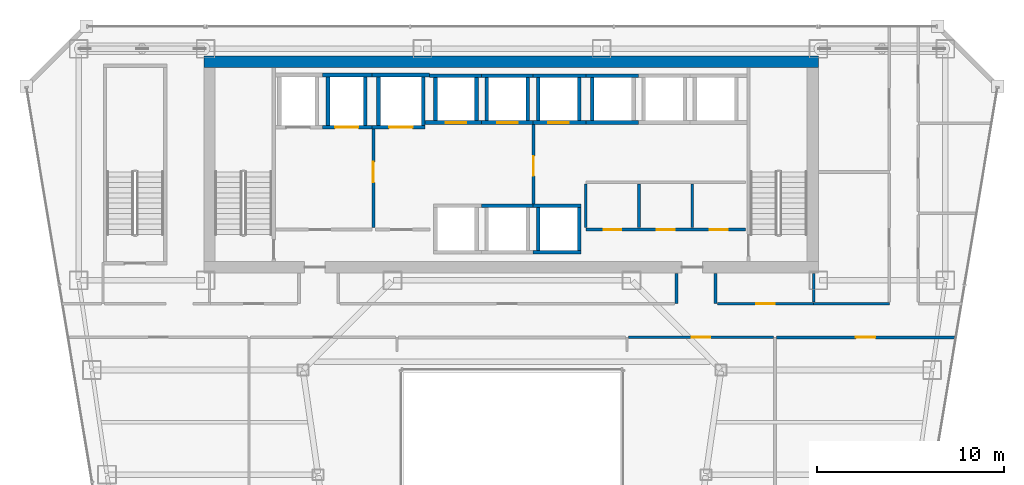
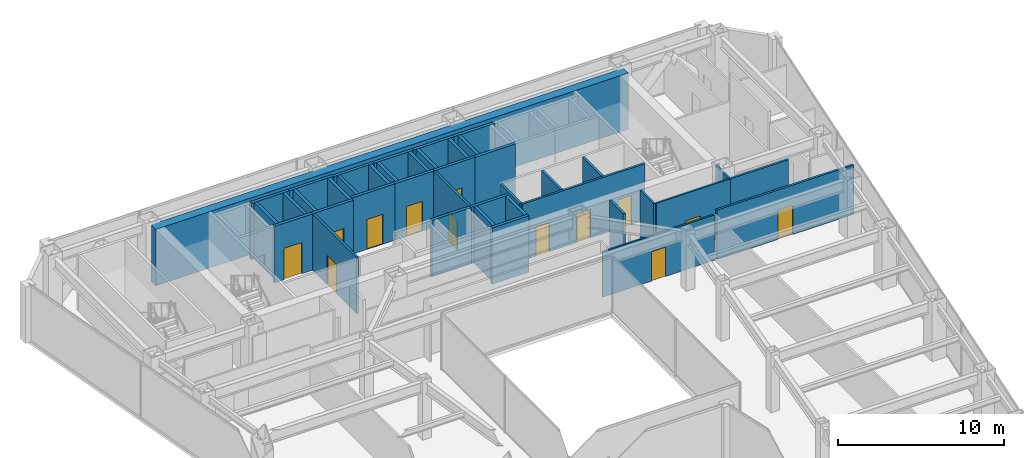
# One storey, part 33 of 37: 42 walls, 13 doors, 13 openings.
"""IFC4 building model written with IfcOpenShell, lengths in metres."""

from ifc_helpers import new_model, si_unit, direction, frame, frame_2d, origin, place, context, subcontext, project, spatial, rectangle, extrude, material, layer, layer_set, type_object, element, fill, save


model = new_model("IFC4")

# Units and contexts
model_context = context("Model", 3, precision=1e-05, world=origin(), true_north=direction((0.0, 1.0)))
body_context = subcontext(model_context, "Body", "Model", "MODEL_VIEW")
ifc_project = project(units=[si_unit("LENGTHUNIT", "METRE"), si_unit("AREAUNIT", "SQUARE_METRE"), si_unit("VOLUMEUNIT", "CUBIC_METRE"), si_unit("PLANEANGLEUNIT", "RADIAN"), si_unit("MASSUNIT", "GRAM", prefix="KILO")], contexts=[model_context])

# Site, building, storey
site_placement = place(None, origin())
site = spatial("IfcSite", under=ifc_project, at=site_placement, CompositionType="ELEMENT")
building_placement = place(site_placement, origin())
building = spatial("IfcBuilding", under=site, at=building_placement, Name="Saevonmaru Cultural Tower", CompositionType="ELEMENT")
storey_placement = place(building_placement, frame((0.0, 0.0, 110.39990234375)))
storey = spatial("IfcBuildingStorey", under=building, at=storey_placement, Name="L23", CompositionType="ELEMENT", Elevation=110.39990234375)

# Wall
ifc_material_1 = material(Name="Concrete C60/75", Category="concrete")
ifc_layer_1 = layer(ifc_material_1, 0.60009765625, Name="Concrete C60/75")
ifc_layer_set_1 = layer_set([ifc_layer_1], Name="Concrete C60/75")
wall_type_1 = type_object("IfcWallType", Name="WL-CORE-600", PredefinedType="SHEAR", material=ifc_layer_set_1)
wall_1_placement = place(storey_placement, frame((13.5, 54.10009765625, 0.0), z_axis=(0.0, 0.0, 1.0), x_axis=(1.0, 0.0, 0.0)))
element("IfcWall", 1, at=wall_1_placement, inside=storey, type_object=wall_type_1, Name="L23 Tower RC core shear wall N", PredefinedType="SHEAR", context=body_context, shape_type="SweptSolid", body=[
    extrude(rectangle(XDim=32.89990234375, YDim=0.60009765625, at=frame_2d((16.449951171875, 0.0))), origin(), (0.0, 0.0, 1.0), 4.150146484375),
])

# Wall, opening, door
ifc_material_2 = material(Name="Gypsum Fireboard Partition", Category="gypsum")
ifc_layer_2 = layer(ifc_material_2, 0.14990234375, Name="Gypsum Fireboard Partition")
ifc_layer_set_2 = layer_set([ifc_layer_2], Name="Gypsum Fireboard Partition")
wall_type_2 = type_object("IfcWallType", Name="WL-CORE-PART-150", PredefinedType="PARTITIONING", material=ifc_layer_set_2)
wall_2_placement = place(storey_placement, frame((22.580078125, 50.550048828125, 0.0), z_axis=(0.0, 0.0, 1.0), x_axis=(0.0, -1.0, 0.0)))
wall_2 = element("IfcWall", 2, at=wall_2_placement, inside=storey, type_object=wall_type_2, Name="L23 Firefighting Lift Lobby East Wall", PredefinedType="PARTITIONING", context=body_context, shape_type="SweptSolid", body=[
    extrude(rectangle(XDim=5.330078125, YDim=0.14990234375, at=frame_2d((2.6650390625, 0.0))), origin(), (0.0, 0.0, 1.0), 4.150146484375),
])
opening_1_placement = place(wall_2_placement, frame((1.800048828125, 0.0, 0.0)))
opening_1 = element("IfcOpeningElement", 3, at=opening_1_placement, cuts=wall_2, Name="Opening FD-2", PredefinedType="OPENING", context=body_context, shape_type="SweptSolid", body=[
    extrude(rectangle(XDim=1.10009765625, YDim=2.14990234375, at=frame_2d((0.550048828125, 1.074951171875))), frame((0.0, 0.0849609375, 0.0), z_axis=(0.0, -1.0, 0.0), x_axis=(1.0, 0.0, 0.0)), (0.0, 0.0, 1.0), 0.169921875),
])
ifc_material_3 = material(Name="Satin Bronze Anodised Aluminium", Category="aluminium")
door_type_1 = type_object("IfcDoorType", Name="DR-FD60-1100", OperationType="SINGLE_SWING_LEFT", PredefinedType="DOOR", material=ifc_material_3)
door_1_placement = place(opening_1_placement, origin())
door_1 = element("IfcDoor", 4, at=door_1_placement, inside=storey, type_object=door_type_1, Name="L23 Firefighting Lift Lobby East Door", OperationType="SINGLE_SWING_LEFT", OverallHeight=2.14990234375, OverallWidth=1.10009765625, PredefinedType="DOOR", context=body_context, shape_type="SweptSolid", body=[
    extrude(rectangle(XDim=1.10009765625, YDim=2.14990234375, at=frame_2d((0.550048828125, 1.074951171875))), frame((0.0, 0.02490234375, 0.0), z_axis=(0.0, -1.0, 0.0), x_axis=(1.0, 0.0, 0.0)), (0.0, 0.0, 1.0), 0.050048828125),
])
fill(opening_1, door_1)

wall_3_placement = place(storey_placement, frame((31.14990234375, 46.5, 0.0), z_axis=(0.0, 0.0, 1.0), x_axis=(0.0, 1.0, 0.0)))
wall_3 = element("IfcWall", 5, at=wall_3_placement, inside=storey, type_object=wall_type_2, Name="L23 Lift Zone Baffle 1", PredefinedType="PARTITIONING", context=body_context, shape_type="SweptSolid", body=[
    extrude(rectangle(XDim=4.25, YDim=0.14990234375, at=frame_2d((2.125, 0.0))), origin(), (0.0, 0.0, 1.0), 4.150146484375),
])
opening_2_placement = place(wall_3_placement, frame((1.5, 0.0, 0.0)))
opening_2 = element("IfcOpeningElement", 6, at=opening_2_placement, cuts=wall_3, Name="Opening ID-1", PredefinedType="OPENING", context=body_context, shape_type="SweptSolid", body=[
    extrude(rectangle(XDim=1.050048828125, YDim=2.14990234375, at=frame_2d((0.52490234375, 1.074951171875))), frame((0.0, 0.0849609375, 0.0), z_axis=(0.0, -1.0, 0.0), x_axis=(1.0, 0.0, 0.0)), (0.0, 0.0, 1.0), 0.169921875),
])
door_type_2 = type_object("IfcDoorType", Name="DR-INT-1050", OperationType="SINGLE_SWING_LEFT", PredefinedType="DOOR", material=ifc_material_3)
door_2_placement = place(opening_2_placement, origin())
door_2 = element("IfcDoor", 7, at=door_2_placement, inside=storey, type_object=door_type_2, Name="L23 West-Mid Lobby Portal", OperationType="SINGLE_SWING_LEFT", OverallHeight=2.14990234375, OverallWidth=1.050048828125, PredefinedType="DOOR", context=body_context, shape_type="SweptSolid", body=[
    extrude(rectangle(XDim=1.050048828125, YDim=2.14990234375, at=frame_2d((0.52490234375, 1.074951171875))), frame((0.0, 0.02490234375, 0.0), z_axis=(0.0, -1.0, 0.0), x_axis=(1.0, 0.0, 0.0)), (0.0, 0.0, 1.0), 0.050048828125),
])
fill(opening_2, door_2)

# Wall, openings, doors
wall_4_placement = place(storey_placement, frame((33.949951171875, 45.1201171875, 0.0), z_axis=(0.0, 0.0, 1.0), x_axis=(1.0, 0.0, 0.0)))
wall_4 = element("IfcWall", 8, at=wall_4_placement, inside=storey, type_object=wall_type_2, Name="L23 Core Utility South Wall", PredefinedType="PARTITIONING", context=body_context, shape_type="SweptSolid", body=[
    extrude(rectangle(XDim=8.550048828125, YDim=0.14990234375, at=frame_2d((4.27490234375, 0.0))), origin(), (0.0, 0.0, 1.0), 4.150146484375),
])
opening_3_placement = place(wall_4_placement, frame((0.949951171875, 0.0, 0.0)))
opening_3 = element("IfcOpeningElement", 9, at=opening_3_placement, cuts=wall_4, Name="Opening FD-4", PredefinedType="OPENING", context=body_context, shape_type="SweptSolid", body=[
    extrude(rectangle(XDim=0.949951171875, YDim=2.14990234375, at=frame_2d((0.47509765625, 1.074951171875))), frame((0.0, 0.0849609375, 0.0), z_axis=(0.0, -1.0, 0.0), x_axis=(1.0, 0.0, 0.0)), (0.0, 0.0, 1.0), 0.169921875),
])
opening_4_placement = place(wall_4_placement, frame((3.800048828125, 0.0, 0.0)))
opening_4 = element("IfcOpeningElement", 10, at=opening_4_placement, cuts=wall_4, Name="Opening FD-4", PredefinedType="OPENING", context=body_context, shape_type="SweptSolid", body=[
    extrude(rectangle(XDim=0.949951171875, YDim=2.14990234375, at=frame_2d((0.47509765625, 1.074951171875))), frame((0.0, 0.0849609375, 0.0), z_axis=(0.0, -1.0, 0.0), x_axis=(1.0, 0.0, 0.0)), (0.0, 0.0, 1.0), 0.169921875),
])
opening_5_placement = place(wall_4_placement, frame((6.64990234375, 0.0, 0.0)))
opening_5 = element("IfcOpeningElement", 11, at=opening_5_placement, cuts=wall_4, Name="Opening FD-4", PredefinedType="OPENING", context=body_context, shape_type="SweptSolid", body=[
    extrude(rectangle(XDim=0.949951171875, YDim=2.14990234375, at=frame_2d((0.47509765625, 1.074951171875))), frame((0.0, 0.0849609375, 0.0), z_axis=(0.0, -1.0, 0.0), x_axis=(1.0, 0.0, 0.0)), (0.0, 0.0, 1.0), 0.169921875),
])
door_type_3 = type_object("IfcDoorType", Name="DR-FD60-950", OperationType="SINGLE_SWING_LEFT", PredefinedType="DOOR", material=ifc_material_3)
door_3_placement = place(opening_3_placement, origin())
door_3 = element("IfcDoor", 12, at=door_3_placement, inside=storey, type_object=door_type_3, Name="L23 Meter Plant Door", OperationType="SINGLE_SWING_LEFT", OverallHeight=2.14990234375, OverallWidth=0.949951171875, PredefinedType="DOOR", context=body_context, shape_type="SweptSolid", body=[
    extrude(rectangle(XDim=0.949951171875, YDim=2.14990234375, at=frame_2d((0.47509765625, 1.074951171875))), frame((0.0, 0.02490234375, 0.0), z_axis=(0.0, -1.0, 0.0), x_axis=(1.0, 0.0, 0.0)), (0.0, 0.0, 1.0), 0.050048828125),
])
fill(opening_3, door_3)
door_4_placement = place(opening_4_placement, origin())
door_4 = element("IfcDoor", 13, at=door_4_placement, inside=storey, type_object=door_type_3, Name="L23 AV Rack Plant Door", OperationType="SINGLE_SWING_LEFT", OverallHeight=2.14990234375, OverallWidth=0.949951171875, PredefinedType="DOOR", context=body_context, shape_type="SweptSolid", body=[
    extrude(rectangle(XDim=0.949951171875, YDim=2.14990234375, at=frame_2d((0.47509765625, 1.074951171875))), frame((0.0, 0.02490234375, 0.0), z_axis=(0.0, -1.0, 0.0), x_axis=(1.0, 0.0, 0.0)), (0.0, 0.0, 1.0), 0.050048828125),
])
fill(opening_4, door_4)
door_5_placement = place(opening_5_placement, origin())
door_5 = element("IfcDoor", 14, at=door_5_placement, inside=storey, type_object=door_type_3, Name="L23 Archive Supply Storage Door", OperationType="SINGLE_SWING_LEFT", OverallHeight=2.14990234375, OverallWidth=0.949951171875, PredefinedType="DOOR", context=body_context, shape_type="SweptSolid", body=[
    extrude(rectangle(XDim=0.949951171875, YDim=2.14990234375, at=frame_2d((0.47509765625, 1.074951171875))), frame((0.0, 0.02490234375, 0.0), z_axis=(0.0, -1.0, 0.0), x_axis=(1.0, 0.0, 0.0)), (0.0, 0.0, 1.0), 0.050048828125),
])
fill(opening_5, door_5)

# Walls
for number, where, z_axis, x_axis, name in (
    (15, (33.949951171875, 45.219970703125, 0.0), (0.0, 0.0, 1.0), (0.0, 1.0, 0.0), "L23 Core Utility West Wall"),
    (16, (36.800048828125, 45.219970703125, 0.0), (0.0, 0.0, 1.0), (0.0, 1.0, 0.0), "L23 Utility Divider 1"),
    (17, (39.64990234375, 45.219970703125, 0.0), (0.0, 0.0, 1.0), (0.0, 1.0, 0.0), "L23 Utility Divider 2"),
):
    element("IfcWall", number, at=place(storey_placement, frame(where, z_axis=z_axis, x_axis=x_axis)), inside=storey, type_object=wall_type_2, Name=name, PredefinedType="PARTITIONING", context=body_context, shape_type="SweptSolid", body=[
        extrude(rectangle(XDim=2.330078125, YDim=0.14990234375, at=frame_2d((1.1650390625, 0.0))), origin(), (0.0, 0.0, 1.0), 4.150146484375),
    ])
ifc_layer_3 = layer(ifc_material_2, 0.14990234375, Name="Gypsum Fireboard Partition")
ifc_layer_set_3 = layer_set([ifc_layer_3], Name="Gypsum Fireboard Partition")
wall_type_3 = type_object("IfcWallType", Name="WL-PART-FIRE-150", PredefinedType="PARTITIONING", material=ifc_layer_set_3)
for number, where, z_axis, x_axis, name in (
    (18, (38.800048828125, 41.14990234375, 0.0), (0.0, 0.0, 1.0), (0.0, 1.0, 0.0), "L23 Core Portal Side Wall E1"),
    (19, (40.89990234375, 41.14990234375, 0.0), (0.0, 0.0, 1.0), (0.0, 1.0, 0.0), "L23 Core Portal Side Wall E2"),
):
    element("IfcWall", number, at=place(storey_placement, frame(where, z_axis=z_axis, x_axis=x_axis)), inside=storey, type_object=wall_type_3, Name=name, PredefinedType="PARTITIONING", context=body_context, shape_type="SweptSolid", body=[
        extrude(rectangle(XDim=1.630126953125, YDim=0.14990234375, at=frame_2d((0.81494140625, 0.0))), origin(), (0.0, 0.0, 1.0), 4.150146484375),
    ])

# Wall, opening, door
wall_5_placement = place(storey_placement, frame((44.16748046875, 39.35009765625, 0.0), z_axis=(0.0, 0.0, 1.0), x_axis=(1.0, 0.0, 0.0)))
wall_5 = element("IfcWall", 20, at=wall_5_placement, inside=storey, type_object=wall_type_3, Name="L23 Skyline Exhibition Gallery Corridor Wall", PredefinedType="PARTITIONING", context=body_context, shape_type="SweptSolid", body=[
    extrude(rectangle(XDim=9.527587890625, YDim=0.14990234375, at=frame_2d((4.763671875, 0.0))), origin(), (0.0, 0.0, 1.0), 3.635009765625),
])
opening_6_placement = place(wall_5_placement, frame((4.239013671875, 0.0, 0.0)))
opening_6 = element("IfcOpeningElement", 21, at=opening_6_placement, cuts=wall_5, Name="Opening ID-1", PredefinedType="OPENING", context=body_context, shape_type="SweptSolid", body=[
    extrude(rectangle(XDim=1.050048828125, YDim=2.14990234375, at=frame_2d((0.52490234375, 1.074951171875))), frame((0.0, 0.0849609375, 0.0), z_axis=(0.0, -1.0, 0.0), x_axis=(1.0, 0.0, 0.0)), (0.0, 0.0, 1.0), 0.169921875),
])
door_6_placement = place(opening_6_placement, origin())
door_6 = element("IfcDoor", 22, at=door_6_placement, inside=storey, type_object=door_type_2, Name="L23 Skyline Exhibition Gallery Door", OperationType="SINGLE_SWING_LEFT", OverallHeight=2.14990234375, OverallWidth=1.050048828125, PredefinedType="DOOR", context=body_context, shape_type="SweptSolid", body=[
    extrude(rectangle(XDim=1.050048828125, YDim=2.14990234375, at=frame_2d((0.52490234375, 1.074951171875))), frame((0.0, 0.02490234375, 0.0), z_axis=(0.0, -1.0, 0.0), x_axis=(1.0, 0.0, 0.0)), (0.0, 0.0, 1.0), 0.050048828125),
])
fill(opening_6, door_6)

ifc_layer_4 = layer(ifc_material_2, 0.1201171875, Name="Gypsum Fireboard Partition")
ifc_layer_set_4 = layer_set([ifc_layer_4], Name="Gypsum Fireboard Partition")
wall_type_4 = type_object("IfcWallType", Name="WL-PART-GYP-120", PredefinedType="PARTITIONING", material=ifc_layer_set_4)
wall_6_placement = place(storey_placement, frame((40.9951171875, 41.14990234375, 0.0), z_axis=(0.0, 0.0, 1.0), x_axis=(1.0, 0.0, 0.0)))
wall_6 = element("IfcWall", 23, at=wall_6_placement, inside=storey, type_object=wall_type_4, Name="L23 Terrace Overlook Cafe Corridor Wall", PredefinedType="PARTITIONING", context=body_context, shape_type="SweptSolid", body=[
    extrude(rectangle(XDim=5.15478515625, YDim=0.1201171875, at=frame_2d((2.577392578125, 0.0))), origin(), (0.0, 0.0, 1.0), 4.150146484375),
])
opening_7_placement = place(wall_6_placement, frame((2.077880859375, 0.0, 0.0)))
opening_7 = element("IfcOpeningElement", 24, at=opening_7_placement, cuts=wall_6, Name="Opening ID-1B", PredefinedType="OPENING", context=body_context, shape_type="SweptSolid", body=[
    extrude(rectangle(XDim=1.0, YDim=2.14990234375, at=frame_2d((0.5, 1.074951171875))), frame((0.0, 0.070068359375, 0.0), z_axis=(0.0, -1.0, 0.0), x_axis=(1.0, 0.0, 0.0)), (0.0, 0.0, 1.0), 0.14013671875),
])
ifc_material_4 = material(Name="Acoustic Stained Oak Timber", Category="wood")
door_type_4 = type_object("IfcDoorType", Name="DR-INT-1000", OperationType="SINGLE_SWING_RIGHT", PredefinedType="DOOR", material=ifc_material_4)
door_7_placement = place(opening_7_placement, origin())
door_7 = element("IfcDoor", 25, at=door_7_placement, inside=storey, type_object=door_type_4, Name="L23 Terrace Overlook Cafe Door", OperationType="SINGLE_SWING_LEFT", OverallHeight=2.14990234375, OverallWidth=1.0, PredefinedType="DOOR", context=body_context, shape_type="SweptSolid", body=[
    extrude(rectangle(XDim=1.0, YDim=2.14990234375, at=frame_2d((0.5, 1.074951171875))), frame((0.0, 0.02490234375, 0.0), z_axis=(0.0, -1.0, 0.0), x_axis=(1.0, 0.0, 0.0)), (0.0, 0.0, 1.0), 0.050048828125),
])
fill(opening_7, door_7)

wall_7_placement = place(storey_placement, frame((36.22998046875, 39.35009765625, 0.0), z_axis=(0.0, 0.0, 1.0), x_axis=(1.0, 0.0, 0.0)))
wall_7 = element("IfcWall", 26, at=wall_7_placement, inside=storey, type_object=wall_type_4, Name="L23 Terrace Overlook Cafe Corridor Wall", PredefinedType="PARTITIONING", context=body_context, shape_type="SweptSolid", body=[
    extrude(rectangle(XDim=7.762451171875, YDim=0.1201171875, at=frame_2d((3.88134765625, 0.0))), origin(), (0.0, 0.0, 1.0), 3.335205078125),
])
opening_8_placement = place(wall_7_placement, frame((3.381103515625, 0.0, 0.0)))
opening_8 = element("IfcOpeningElement", 27, at=opening_8_placement, cuts=wall_7, Name="Opening ID-1B", PredefinedType="OPENING", context=body_context, shape_type="SweptSolid", body=[
    extrude(rectangle(XDim=1.0, YDim=2.14990234375, at=frame_2d((0.5, 1.074951171875))), frame((0.0, 0.070068359375, 0.0), z_axis=(0.0, -1.0, 0.0), x_axis=(1.0, 0.0, 0.0)), (0.0, 0.0, 1.0), 0.14013671875),
])
door_8_placement = place(opening_8_placement, origin())
door_8 = element("IfcDoor", 28, at=door_8_placement, inside=storey, type_object=door_type_4, Name="L23 Terrace Overlook Cafe Door", OperationType="SINGLE_SWING_RIGHT", OverallHeight=2.14990234375, OverallWidth=1.0, PredefinedType="DOOR", context=body_context, shape_type="SweptSolid", body=[
    extrude(rectangle(XDim=1.0, YDim=2.14990234375, at=frame_2d((0.5, 1.074951171875))), frame((0.0, 0.02490234375, 0.0), z_axis=(0.0, -1.0, 0.0), x_axis=(1.0, 0.0, 0.0)), (0.0, 0.0, 1.0), 0.050048828125),
])
fill(opening_8, door_8)

# Walls
ifc_layer_5 = layer(ifc_material_2, 0.139892578125, Name="Gypsum Fireboard Partition")
ifc_layer_set_5 = layer_set([ifc_layer_5], Name="Gypsum Fireboard Partition")
wall_type_5 = type_object("IfcWallType", Name="WL-PART-WET-140", PredefinedType="PARTITIONING", material=ifc_layer_set_5)
wall_8_placement = place(storey_placement, frame((46.14990234375, 41.14990234375, 0.0), z_axis=(0.0, 0.0, 1.0), x_axis=(1.0, 0.0, 0.0)))
element("IfcWall", 29, at=wall_8_placement, inside=storey, type_object=wall_type_5, Name="L23 Washroom South Wall", PredefinedType="PARTITIONING", context=body_context, shape_type="SweptSolid", body=[
    extrude(rectangle(XDim=4.050048828125, YDim=0.139892578125, at=frame_2d((2.02490234375, 0.0))), origin(), (0.0, 0.0, 1.0), 4.150146484375),
])
wall_9_placement = place(storey_placement, frame((46.14990234375, 41.239990234375, 0.0), z_axis=(0.0, 0.0, 1.0), x_axis=(0.0, 1.0, 0.0)))
element("IfcWall", 30, at=wall_9_placement, inside=storey, type_object=wall_type_5, Name="L23 Washroom South-West Return", PredefinedType="PARTITIONING", context=body_context, shape_type="SweptSolid", body=[
    extrude(rectangle(XDim=1.5400390625, YDim=0.139892578125, at=frame_2d((0.77001953125, 0.0))), origin(), (0.0, 0.0, 1.0), 4.150146484375),
])

# Wall, opening, door
ifc_material_5 = material(Name="Concrete C40/50", Category="concrete")
ifc_layer_6 = layer(ifc_material_5, 0.199951171875, Name="Concrete C40/50")
ifc_layer_set_6 = layer_set([ifc_layer_6], Name="Concrete C40/50")
wall_type_6 = type_object("IfcWallType", Name="WL-SHAFT-200", PredefinedType="SHEAR", material=ifc_layer_set_6)
wall_10_placement = place(storey_placement, frame((19.85009765625, 50.60009765625, 0.0), z_axis=(0.0, 0.0, 1.0), x_axis=(1.0, 0.0, 0.0)))
wall_10 = element("IfcWall", 31, at=wall_10_placement, inside=storey, type_object=wall_type_6, Name="L23 Lift FFL-2 Hoistway Wall S", PredefinedType="SHEAR", context=body_context, shape_type="SweptSolid", body=[
    extrude(rectangle(XDim=2.64990234375, YDim=0.199951171875, at=frame_2d((1.324951171875, 0.0))), origin(), (0.0, 0.0, 1.0), 4.150146484375),
])
opening_9_placement = place(wall_10_placement, frame((0.675048828125, 0.0, 0.0)))
opening_9 = element("IfcOpeningElement", 32, at=opening_9_placement, cuts=wall_10, Name="Opening LD-2", PredefinedType="OPENING", context=body_context, shape_type="SweptSolid", body=[
    extrude(rectangle(XDim=1.25, YDim=2.300048828125, at=frame_2d((0.625, 1.14990234375))), frame((0.0, 0.10986328125, 0.0), z_axis=(0.0, -1.0, 0.0), x_axis=(1.0, 0.0, 0.0)), (0.0, 0.0, 1.0), 0.219970703125),
])
ifc_material_6 = material(Name="Stainless Steel 316", Category="steel")
door_type_5 = type_object("IfcDoorType", Name="DR-LIFT-1250", OperationType="SLIDING_TO_LEFT", PredefinedType="DOOR", material=ifc_material_6)
door_9_placement = place(opening_9_placement, origin())
door_9 = element("IfcDoor", 33, at=door_9_placement, inside=storey, type_object=door_type_5, Name="L23 Lift FFL-2 Sliding Landing Door", OperationType="SLIDING_TO_LEFT", OverallHeight=2.300048828125, OverallWidth=1.25, PredefinedType="DOOR", context=body_context, shape_type="SweptSolid", body=[
    extrude(rectangle(XDim=1.25, YDim=2.300048828125, at=frame_2d((0.625, 1.14990234375))), frame((0.0, 0.02490234375, 0.0), z_axis=(0.0, -1.0, 0.0), x_axis=(1.0, 0.0, 0.0)), (0.0, 0.0, 1.0), 0.050048828125),
])
fill(opening_9, door_9)

# Walls
wall_11_placement = place(storey_placement, frame((19.85009765625, 53.39990234375, 0.0), z_axis=(0.0, 0.0, 1.0), x_axis=(1.0, 0.0, 0.0)))
element("IfcWall", 34, at=wall_11_placement, inside=storey, type_object=wall_type_6, Name="L23 Lift FFL-2 Hoistway Wall N", PredefinedType="SHEAR", context=body_context, shape_type="SweptSolid", body=[
    extrude(rectangle(XDim=2.64990234375, YDim=0.199951171875, at=frame_2d((1.324951171875, 0.0))), origin(), (0.0, 0.0, 1.0), 4.150146484375),
])
for number, where, z_axis, x_axis, name in (
    (35, (20.14990234375, 50.699951171875, 0.0), (0.0, 0.0, 1.0), (0.0, 1.0, 0.0), "L23 Lift FFL-2 Hoistway Wall W"),
    (36, (22.14990234375, 50.699951171875, 0.0), (0.0, 0.0, 1.0), (0.0, 1.0, 0.0), "L23 Lift FFL-2 Hoistway Wall E"),
):
    element("IfcWall", number, at=place(storey_placement, frame(where, z_axis=z_axis, x_axis=x_axis)), inside=storey, type_object=wall_type_6, Name=name, PredefinedType="SHEAR", context=body_context, shape_type="SweptSolid", body=[
        extrude(rectangle(XDim=2.60009765625, YDim=0.199951171875, at=frame_2d((1.300048828125, 0.0))), origin(), (0.0, 0.0, 1.0), 4.150146484375),
    ])

# Wall, opening, door
wall_12_placement = place(storey_placement, frame((22.5, 50.60009765625, 0.0), z_axis=(0.0, 0.0, 1.0), x_axis=(1.0, 0.0, 0.0)))
wall_12 = element("IfcWall", 37, at=wall_12_placement, inside=storey, type_object=wall_type_6, Name="L23 Lift GL-1 Hoistway Wall S", PredefinedType="SHEAR", context=body_context, shape_type="SweptSolid", body=[
    extrude(rectangle(XDim=2.85009765625, YDim=0.199951171875, at=frame_2d((1.425048828125, 0.0))), origin(), (0.0, 0.0, 1.0), 4.150146484375),
])
opening_10_placement = place(wall_12_placement, frame((0.925048828125, 0.0, 0.0)))
opening_10 = element("IfcOpeningElement", 38, at=opening_10_placement, cuts=wall_12, Name="Opening LD-2", PredefinedType="OPENING", context=body_context, shape_type="SweptSolid", body=[
    extrude(rectangle(XDim=1.25, YDim=2.300048828125, at=frame_2d((0.625, 1.14990234375))), frame((0.0, 0.10986328125, 0.0), z_axis=(0.0, -1.0, 0.0), x_axis=(1.0, 0.0, 0.0)), (0.0, 0.0, 1.0), 0.219970703125),
])
door_10_placement = place(opening_10_placement, origin())
door_10 = element("IfcDoor", 39, at=door_10_placement, inside=storey, type_object=door_type_5, Name="L23 Lift GL-1 Sliding Landing Door", OperationType="SLIDING_TO_LEFT", OverallHeight=2.300048828125, OverallWidth=1.25, PredefinedType="DOOR", context=body_context, shape_type="SweptSolid", body=[
    extrude(rectangle(XDim=1.25, YDim=2.300048828125, at=frame_2d((0.625, 1.14990234375))), frame((0.0, 0.02490234375, 0.0), z_axis=(0.0, -1.0, 0.0), x_axis=(1.0, 0.0, 0.0)), (0.0, 0.0, 1.0), 0.050048828125),
])
fill(opening_10, door_10)

# Walls
wall_13_placement = place(storey_placement, frame((22.5, 53.39990234375, 0.0), z_axis=(0.0, 0.0, 1.0), x_axis=(1.0, 0.0, 0.0)))
element("IfcWall", 40, at=wall_13_placement, inside=storey, type_object=wall_type_6, Name="L23 Lift GL-1 Hoistway Wall N", PredefinedType="SHEAR", context=body_context, shape_type="SweptSolid", body=[
    extrude(rectangle(XDim=3.074951171875, YDim=0.199951171875, at=frame_2d((1.53759765625, 0.0))), origin(), (0.0, 0.0, 1.0), 4.150146484375),
])
for number, where, z_axis, x_axis, name in (
    (41, (22.85009765625, 50.699951171875, 0.0), (0.0, 0.0, 1.0), (0.0, 1.0, 0.0), "L23 Lift GL-1 Hoistway Wall W"),
    (42, (25.25, 50.699951171875, 0.0), (0.0, 0.0, 1.0), (0.0, 1.0, 0.0), "L23 Lift GL-1 Hoistway Wall E"),
):
    element("IfcWall", number, at=place(storey_placement, frame(where, z_axis=z_axis, x_axis=x_axis)), inside=storey, type_object=wall_type_6, Name=name, PredefinedType="SHEAR", context=body_context, shape_type="SweptSolid", body=[
        extrude(rectangle(XDim=2.60009765625, YDim=0.199951171875, at=frame_2d((1.300048828125, 0.0))), origin(), (0.0, 0.0, 1.0), 4.150146484375),
    ])

# Wall, opening, door
wall_14_placement = place(storey_placement, frame((25.35009765625, 50.85009765625, 0.0), z_axis=(0.0, 0.0, 1.0), x_axis=(1.0, 0.0, 0.0)))
wall_14 = element("IfcWall", 43, at=wall_14_placement, inside=storey, type_object=wall_type_6, Name="L23 Lift PL-L1 Hoistway Wall S", PredefinedType="SHEAR", context=body_context, shape_type="SweptSolid", body=[
    extrude(rectangle(XDim=3.02490234375, YDim=0.199951171875, at=frame_2d((1.512451171875, 0.0))), origin(), (0.0, 0.0, 1.0), 4.150146484375),
])
opening_11_placement = place(wall_14_placement, frame((1.10009765625, 0.0, 0.0)))
opening_11 = element("IfcOpeningElement", 44, at=opening_11_placement, cuts=wall_14, Name="Opening LD-1", PredefinedType="OPENING", context=body_context, shape_type="SweptSolid", body=[
    extrude(rectangle(XDim=1.10009765625, YDim=2.199951171875, at=frame_2d((0.550048828125, 1.10009765625))), frame((0.0, 0.10986328125, 0.0), z_axis=(0.0, -1.0, 0.0), x_axis=(1.0, 0.0, 0.0)), (0.0, 0.0, 1.0), 0.219970703125),
])
ifc_material_7 = material(Name="Satin Bronze Stainless Steel", Category="steel")
door_type_6 = type_object("IfcDoorType", Name="DR-LIFT-1100", OperationType="SLIDING_TO_LEFT", PredefinedType="DOOR", material=ifc_material_7)
door_11_placement = place(opening_11_placement, origin())
door_11 = element("IfcDoor", 45, at=door_11_placement, inside=storey, type_object=door_type_6, Name="L23 Lift PL-L1 Sliding Landing Door", OperationType="SLIDING_TO_LEFT", OverallHeight=2.199951171875, OverallWidth=1.10009765625, PredefinedType="DOOR", context=body_context, shape_type="SweptSolid", body=[
    extrude(rectangle(XDim=1.10009765625, YDim=2.199951171875, at=frame_2d((0.550048828125, 1.10009765625))), frame((0.0, 0.02490234375, 0.0), z_axis=(0.0, -1.0, 0.0), x_axis=(1.0, 0.0, 0.0)), (0.0, 0.0, 1.0), 0.050048828125),
])
fill(opening_11, door_11)

# Walls
wall_15_placement = place(storey_placement, frame((25.574951171875, 53.35009765625, 0.0), z_axis=(0.0, 0.0, 1.0), x_axis=(1.0, 0.0, 0.0)))
element("IfcWall", 46, at=wall_15_placement, inside=storey, type_object=wall_type_6, Name="L23 Lift PL-L1 Hoistway Wall N", PredefinedType="SHEAR", context=body_context, shape_type="SweptSolid", body=[
    extrude(rectangle(XDim=2.800048828125, YDim=0.199951171875, at=frame_2d((1.39990234375, 0.0))), origin(), (0.0, 0.0, 1.0), 4.150146484375),
])
for number, where, z_axis, x_axis, name in (
    (47, (25.89990234375, 50.949951171875, 0.0), (0.0, 0.0, 1.0), (0.0, 1.0, 0.0), "L23 Lift PL-L1 Hoistway Wall W"),
    (48, (28.10009765625, 50.949951171875, 0.0), (0.0, 0.0, 1.0), (0.0, 1.0, 0.0), "L23 Lift PL-L1 Hoistway Wall E"),
):
    element("IfcWall", number, at=place(storey_placement, frame(where, z_axis=z_axis, x_axis=x_axis)), inside=storey, type_object=wall_type_6, Name=name, PredefinedType="SHEAR", context=body_context, shape_type="SweptSolid", body=[
        extrude(rectangle(XDim=2.300048828125, YDim=0.199951171875, at=frame_2d((1.14990234375, 0.0))), origin(), (0.0, 0.0, 1.0), 4.150146484375),
    ])

# Wall, opening, door
wall_16_placement = place(storey_placement, frame((28.375, 50.85009765625, 0.0), z_axis=(0.0, 0.0, 1.0), x_axis=(1.0, 0.0, 0.0)))
wall_16 = element("IfcWall", 49, at=wall_16_placement, inside=storey, type_object=wall_type_6, Name="L23 Lift PL-L2 Hoistway Wall S", PredefinedType="SHEAR", context=body_context, shape_type="SweptSolid", body=[
    extrude(rectangle(XDim=2.75, YDim=0.199951171875, at=frame_2d((1.375, 0.0))), origin(), (0.0, 0.0, 1.0), 4.150146484375),
])
opening_12_placement = place(wall_16_placement, frame((0.824951171875, 0.0, 0.0)))
opening_12 = element("IfcOpeningElement", 50, at=opening_12_placement, cuts=wall_16, Name="Opening LD-1", PredefinedType="OPENING", context=body_context, shape_type="SweptSolid", body=[
    extrude(rectangle(XDim=1.10009765625, YDim=2.199951171875, at=frame_2d((0.550048828125, 1.10009765625))), frame((0.0, 0.10986328125, 0.0), z_axis=(0.0, -1.0, 0.0), x_axis=(1.0, 0.0, 0.0)), (0.0, 0.0, 1.0), 0.219970703125),
])
door_12_placement = place(opening_12_placement, origin())
door_12 = element("IfcDoor", 51, at=door_12_placement, inside=storey, type_object=door_type_6, Name="L23 Lift PL-L2 Sliding Landing Door", OperationType="SLIDING_TO_LEFT", OverallHeight=2.199951171875, OverallWidth=1.10009765625, PredefinedType="DOOR", context=body_context, shape_type="SweptSolid", body=[
    extrude(rectangle(XDim=1.10009765625, YDim=2.199951171875, at=frame_2d((0.550048828125, 1.10009765625))), frame((0.0, 0.02490234375, 0.0), z_axis=(0.0, -1.0, 0.0), x_axis=(1.0, 0.0, 0.0)), (0.0, 0.0, 1.0), 0.050048828125),
])
fill(opening_12, door_12)

# Walls
wall_17_placement = place(storey_placement, frame((28.375, 53.35009765625, 0.0), z_axis=(0.0, 0.0, 1.0), x_axis=(1.0, 0.0, 0.0)))
element("IfcWall", 52, at=wall_17_placement, inside=storey, type_object=wall_type_6, Name="L23 Lift PL-L2 Hoistway Wall N", PredefinedType="SHEAR", context=body_context, shape_type="SweptSolid", body=[
    extrude(rectangle(XDim=2.75, YDim=0.199951171875, at=frame_2d((1.375, 0.0))), origin(), (0.0, 0.0, 1.0), 4.150146484375),
])
for number, where, z_axis, x_axis, name in (
    (53, (28.64990234375, 50.949951171875, 0.0), (0.0, 0.0, 1.0), (0.0, 1.0, 0.0), "L23 Lift PL-L2 Hoistway Wall W"),
    (54, (30.85009765625, 50.949951171875, 0.0), (0.0, 0.0, 1.0), (0.0, 1.0, 0.0), "L23 Lift PL-L2 Hoistway Wall E"),
):
    element("IfcWall", number, at=place(storey_placement, frame(where, z_axis=z_axis, x_axis=x_axis)), inside=storey, type_object=wall_type_6, Name=name, PredefinedType="SHEAR", context=body_context, shape_type="SweptSolid", body=[
        extrude(rectangle(XDim=2.300048828125, YDim=0.199951171875, at=frame_2d((1.14990234375, 0.0))), origin(), (0.0, 0.0, 1.0), 4.150146484375),
    ])

# Wall, opening, door
wall_18_placement = place(storey_placement, frame((31.125, 50.85009765625, 0.0), z_axis=(0.0, 0.0, 1.0), x_axis=(1.0, 0.0, 0.0)))
wall_18 = element("IfcWall", 55, at=wall_18_placement, inside=storey, type_object=wall_type_6, Name="L23 Lift PL-L3 Hoistway Wall S", PredefinedType="SHEAR", context=body_context, shape_type="SweptSolid", body=[
    extrude(rectangle(XDim=2.824951171875, YDim=0.199951171875, at=frame_2d((1.41259765625, 0.0))), origin(), (0.0, 0.0, 1.0), 4.150146484375),
])
opening_13_placement = place(wall_18_placement, frame((0.824951171875, 0.0, 0.0)))
opening_13 = element("IfcOpeningElement", 56, at=opening_13_placement, cuts=wall_18, Name="Opening LD-1", PredefinedType="OPENING", context=body_context, shape_type="SweptSolid", body=[
    extrude(rectangle(XDim=1.10009765625, YDim=2.199951171875, at=frame_2d((0.550048828125, 1.10009765625))), frame((0.0, 0.10986328125, 0.0), z_axis=(0.0, -1.0, 0.0), x_axis=(1.0, 0.0, 0.0)), (0.0, 0.0, 1.0), 0.219970703125),
])
door_13_placement = place(opening_13_placement, origin())
door_13 = element("IfcDoor", 57, at=door_13_placement, inside=storey, type_object=door_type_6, Name="L23 Lift PL-L3 Sliding Landing Door", OperationType="SLIDING_TO_LEFT", OverallHeight=2.199951171875, OverallWidth=1.10009765625, PredefinedType="DOOR", context=body_context, shape_type="SweptSolid", body=[
    extrude(rectangle(XDim=1.10009765625, YDim=2.199951171875, at=frame_2d((0.550048828125, 1.10009765625))), frame((0.0, 0.02490234375, 0.0), z_axis=(0.0, -1.0, 0.0), x_axis=(1.0, 0.0, 0.0)), (0.0, 0.0, 1.0), 0.050048828125),
])
fill(opening_13, door_13)

# Walls
wall_19_placement = place(storey_placement, frame((31.125, 53.35009765625, 0.0), z_axis=(0.0, 0.0, 1.0), x_axis=(1.0, 0.0, 0.0)))
element("IfcWall", 58, at=wall_19_placement, inside=storey, type_object=wall_type_6, Name="L23 Lift PL-L3 Hoistway Wall N", PredefinedType="SHEAR", context=body_context, shape_type="SweptSolid", body=[
    extrude(rectangle(XDim=2.824951171875, YDim=0.199951171875, at=frame_2d((1.41259765625, 0.0))), origin(), (0.0, 0.0, 1.0), 4.150146484375),
])
for number, where, z_axis, x_axis, name in (
    (59, (31.39990234375, 50.949951171875, 0.0), (0.0, 0.0, 1.0), (0.0, 1.0, 0.0), "L23 Lift PL-L3 Hoistway Wall W"),
    (60, (33.60009765625, 50.949951171875, 0.0), (0.0, 0.0, 1.0), (0.0, 1.0, 0.0), "L23 Lift PL-L3 Hoistway Wall E"),
):
    element("IfcWall", number, at=place(storey_placement, frame(where, z_axis=z_axis, x_axis=x_axis)), inside=storey, type_object=wall_type_6, Name=name, PredefinedType="SHEAR", context=body_context, shape_type="SweptSolid", body=[
        extrude(rectangle(XDim=2.300048828125, YDim=0.199951171875, at=frame_2d((1.14990234375, 0.0))), origin(), (0.0, 0.0, 1.0), 4.150146484375),
    ])
wall_20_placement = place(storey_placement, frame((28.375, 46.39990234375, 0.0), z_axis=(0.0, 0.0, 1.0), x_axis=(1.0, 0.0, 0.0)))
element("IfcWall", 61, at=wall_20_placement, inside=storey, type_object=wall_type_6, Name="L23 Lift PL-M2 Hoistway Wall N", PredefinedType="SHEAR", context=body_context, shape_type="SweptSolid", body=[
    extrude(rectangle(XDim=2.75, YDim=0.199951171875, at=frame_2d((1.375, 0.0))), origin(), (0.0, 0.0, 1.0), 4.150146484375),
])
for number, where, z_axis, x_axis, name in (
    (62, (31.125, 43.89990234375, 0.0), (0.0, 0.0, 1.0), (1.0, 0.0, 0.0), "L23 Lift PL-M3 Hoistway Wall S"),
    (63, (31.125, 46.39990234375, 0.0), (0.0, 0.0, 1.0), (1.0, 0.0, 0.0), "L23 Lift PL-M3 Hoistway Wall N"),
):
    element("IfcWall", number, at=place(storey_placement, frame(where, z_axis=z_axis, x_axis=x_axis)), inside=storey, type_object=wall_type_6, Name=name, PredefinedType="SHEAR", context=body_context, shape_type="SweptSolid", body=[
        extrude(rectangle(XDim=2.574951171875, YDim=0.199951171875, at=frame_2d((1.28759765625, 0.0))), origin(), (0.0, 0.0, 1.0), 4.150146484375),
    ])
for number, where, z_axis, x_axis, name in (
    (64, (31.39990234375, 44.0, 0.0), (0.0, 0.0, 1.0), (0.0, 1.0, 0.0), "L23 Lift PL-M3 Hoistway Wall W"),
    (65, (33.60009765625, 44.0, 0.0), (0.0, 0.0, 1.0), (0.0, 1.0, 0.0), "L23 Lift PL-M3 Hoistway Wall E"),
):
    element("IfcWall", number, at=place(storey_placement, frame(where, z_axis=z_axis, x_axis=x_axis)), inside=storey, type_object=wall_type_6, Name=name, PredefinedType="SHEAR", context=body_context, shape_type="SweptSolid", body=[
        extrude(rectangle(XDim=2.300048828125, YDim=0.199951171875, at=frame_2d((1.14990234375, 0.0))), origin(), (0.0, 0.0, 1.0), 4.150146484375),
    ])
for number, where, z_axis, x_axis, name in (
    (66, (33.949951171875, 50.85009765625, 0.0), (0.0, 0.0, 1.0), (1.0, 0.0, 0.0), "L23 Lift PL-H1 Hoistway Wall S"),
    (67, (33.949951171875, 53.35009765625, 0.0), (0.0, 0.0, 1.0), (1.0, 0.0, 0.0), "L23 Lift PL-H1 Hoistway Wall N"),
):
    element("IfcWall", number, at=place(storey_placement, frame(where, z_axis=z_axis, x_axis=x_axis)), inside=storey, type_object=wall_type_6, Name=name, PredefinedType="SHEAR", context=body_context, shape_type="SweptSolid", body=[
        extrude(rectangle(XDim=2.824951171875, YDim=0.199951171875, at=frame_2d((1.41259765625, 0.0))), origin(), (0.0, 0.0, 1.0), 4.150146484375),
    ])
wall_21_placement = place(storey_placement, frame((34.300048828125, 50.949951171875, 0.0), z_axis=(0.0, 0.0, 1.0), x_axis=(0.0, 1.0, 0.0)))
element("IfcWall", 68, at=wall_21_placement, inside=storey, type_object=wall_type_6, Name="L23 Lift PL-H1 Hoistway Wall W", PredefinedType="SHEAR", context=body_context, shape_type="SweptSolid", body=[
    extrude(rectangle(XDim=2.300048828125, YDim=0.199951171875, at=frame_2d((1.14990234375, 0.0))), origin(), (0.0, 0.0, 1.0), 4.150146484375),
])

save(model, "model.ifc")
